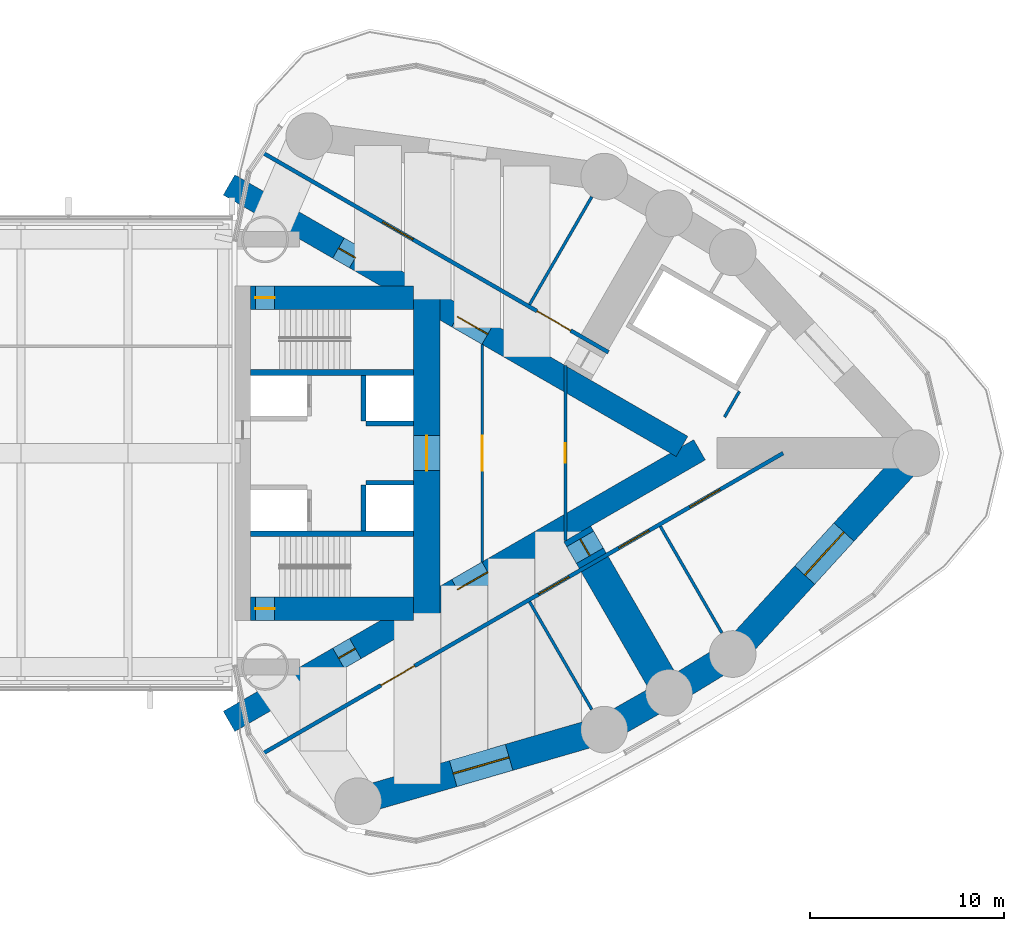
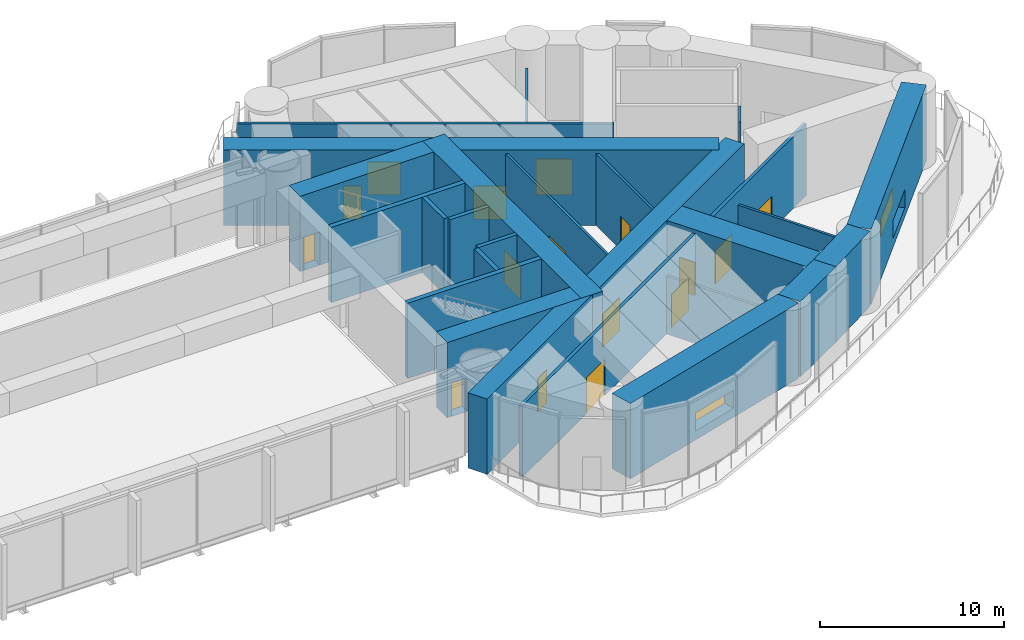
# One storey, part 18 of 22: 24 walls, 16 doors, 2 windows, 18 openings.
"""IFC4 building model written with IfcOpenShell, lengths in metres."""

from ifc_helpers import new_model, si_unit, direction, frame, frame_2d, origin, place, context, subcontext, project, spatial, rectangle, extrude, material, layer, layer_set, type_object, element, fill, save


model = new_model("IFC4")

# Units and contexts
model_context = context("Model", 3, precision=1e-05, world=origin(), true_north=direction((0.0, 1.0)))
body_context = subcontext(model_context, "Body", "Model", "MODEL_VIEW")
ifc_project = project(units=[si_unit("LENGTHUNIT", "METRE"), si_unit("AREAUNIT", "SQUARE_METRE"), si_unit("VOLUMEUNIT", "CUBIC_METRE"), si_unit("PLANEANGLEUNIT", "RADIAN"), si_unit("MASSUNIT", "GRAM", prefix="KILO")], contexts=[model_context])

# Site, building, storey
site_placement = place(None, origin())
site = spatial("IfcSite", under=ifc_project, at=site_placement, CompositionType="ELEMENT")
building_placement = place(site_placement, origin())
building = spatial("IfcBuilding", under=site, at=building_placement, Name="Lancet Gate Hotel", CompositionType="ELEMENT")
storey_placement = place(building_placement, frame((0.0, 0.0, 210.300048828125)))
storey = spatial("IfcBuildingStorey", under=building, at=storey_placement, Name="L56", CompositionType="ELEMENT", Elevation=210.300048828125)

# Wall, opening, window
ifc_material_1 = material(Name="Concrete C80/95", Category="concrete")
ifc_layer_1 = layer(ifc_material_1, 1.39990234375)
ifc_layer_set_1 = layer_set([ifc_layer_1], Name="Belt wall 1400")
wall_type_1 = type_object("IfcWallType", Name="Belt wall 1400", PredefinedType="SHEAR", material=ifc_layer_set_1)
wall_1_placement = place(storey_placement, frame((33.837158203125, -17.906005859375, 0.0), z_axis=(0.0, 0.0, 1.0), x_axis=(0.960258384252, 0.279112585659, 0.0)))
wall_1 = element("IfcWall", 1, at=wall_1_placement, inside=storey, type_object=wall_type_1, Name="T2 belt wall CS-OS1 L56", PredefinedType="SHEAR", context=body_context, shape_type="SweptSolid", body=[
    extrude(rectangle(XDim=13.18603515625, YDim=1.39990234375, at=frame_2d((6.593017578125, 0.0))), origin(), (0.0, 0.0, 1.0), 5.0),
])
opening_1_placement = place(wall_1_placement, frame((5.093017578125, 0.0, 0.60009765625)))
opening_1 = element("IfcOpeningElement", 2, at=opening_1_placement, cuts=wall_1, Name="Opening LV1", PredefinedType="OPENING", context=body_context, shape_type="SweptSolid", body=[
    extrude(rectangle(XDim=3.0, YDim=1.199951171875, at=frame_2d((1.5, 0.60009765625))), frame((0.0, 0.7099609375, 0.0), z_axis=(0.0, -1.0, 0.0), x_axis=(1.0, 0.0, 0.0)), (0.0, 0.0, 1.0), 1.419921875),
])
ifc_material_2 = material(Name="Aluminium weather louvre", Category="aluminium")
window_type = type_object("IfcWindowType", Name="Refuge louvre 3000x1200", PartitioningType="SINGLE_PANEL", PredefinedType="WINDOW", material=ifc_material_2)
window_1_placement = place(opening_1_placement, origin())
window_1 = element("IfcWindow", 3, at=window_1_placement, inside=storey, type_object=window_type, Name="T2 belt louvre CS-OS1 L56", OverallHeight=1.199951171875, OverallWidth=3.0, PartitioningType="SINGLE_PANEL", PredefinedType="WINDOW", context=body_context, shape_type="SweptSolid", body=[
    extrude(rectangle(XDim=3.0, YDim=1.199951171875, at=frame_2d((1.5, 0.60009765625))), frame((0.0, 0.030029296875, 0.0), z_axis=(0.0, -1.0, 0.0), x_axis=(1.0, 0.0, 0.0)), (0.0, 0.0, 1.0), 0.06005859375),
])
fill(opening_1, window_1)

# Walls
wall_2_placement = place(storey_placement, frame((46.499267578125, -14.2255859375, 0.0), z_axis=(0.0, 0.0, 1.0), x_axis=(0.869560321562, 0.493826738001, 0.0)))
element("IfcWall", 4, at=wall_2_placement, inside=storey, type_object=wall_type_1, Name="T2 belt wall OS1-OS2 L56", PredefinedType="SHEAR", context=body_context, shape_type="SweptSolid", body=[
    extrude(rectangle(XDim=3.8349609375, YDim=1.39990234375, at=frame_2d((1.91748046875, 0.0))), origin(), (0.0, 0.0, 1.0), 5.0),
])
wall_3_placement = place(storey_placement, frame((49.833984375, -12.331787109375, 0.0), z_axis=(0.0, 0.0, 1.0), x_axis=(0.853604257265, 0.520922040212, 0.0)))
element("IfcWall", 5, at=wall_3_placement, inside=storey, type_object=wall_type_1, Name="T2 belt wall OS2-OS3 L56", PredefinedType="SHEAR", context=body_context, shape_type="SweptSolid", body=[
    extrude(rectangle(XDim=3.835205078125, YDim=1.39990234375, at=frame_2d((1.91748046875, 0.0))), origin(), (0.0, 0.0, 1.0), 5.0),
])

# Wall, opening, window
wall_4_placement = place(storey_placement, frame((53.107666015625, -10.333984375, 0.0), z_axis=(0.0, 0.0, 1.0), x_axis=(0.674209372947, 0.738540263919, 0.0)))
wall_4 = element("IfcWall", 6, at=wall_4_placement, inside=storey, type_object=wall_type_1, Name="T2 belt wall OS3-CA L56", PredefinedType="SHEAR", context=body_context, shape_type="SweptSolid", body=[
    extrude(rectangle(XDim=13.992431640625, YDim=1.39990234375, at=frame_2d((6.99609375, 0.0))), origin(), (0.0, 0.0, 1.0), 5.0),
])
opening_2_placement = place(wall_4_placement, frame((5.496337890625, 0.0, 0.60009765625)))
opening_2 = element("IfcOpeningElement", 7, at=opening_2_placement, cuts=wall_4, Name="Opening LV1", PredefinedType="OPENING", context=body_context, shape_type="SweptSolid", body=[
    extrude(rectangle(XDim=3.0, YDim=1.199951171875, at=frame_2d((1.5, 0.60009765625))), frame((0.0, 0.7099609375, 0.0), z_axis=(0.0, -1.0, 0.0), x_axis=(1.0, 0.0, 0.0)), (0.0, 0.0, 1.0), 1.419921875),
])
window_2_placement = place(opening_2_placement, origin())
window_2 = element("IfcWindow", 8, at=window_2_placement, inside=storey, type_object=window_type, Name="T2 belt louvre OS3-CA L56", OverallHeight=1.199951171875, OverallWidth=3.0, PartitioningType="SINGLE_PANEL", PredefinedType="WINDOW", context=body_context, shape_type="SweptSolid", body=[
    extrude(rectangle(XDim=3.0, YDim=1.199951171875, at=frame_2d((1.5, 0.60009765625))), frame((0.0, 0.030029296875, 0.0), z_axis=(0.0, -1.0, 0.0), x_axis=(1.0, 0.0, 0.0)), (0.0, 0.0, 1.0), 0.06005859375),
])
fill(opening_2, window_2)

# Wall, openings, doors
ifc_material_3 = material(Name="Concrete C70/85", Category="concrete")
ifc_layer_2 = layer(ifc_material_3, 1.199951171875)
ifc_layer_set_2 = layer_set([ifc_layer_2], Name="Buttress wall 1200")
wall_type_2 = type_object("IfcWallType", Name="Buttress wall 1200", PredefinedType="SHEAR", material=ifc_layer_set_2)
wall_5_placement = place(storey_placement, frame((27.199951171875, -13.800048828125, 0.0), z_axis=(0.0, 0.0, 1.0), x_axis=(0.866027159892, 0.499996958321, 0.0)))
wall_5 = element("IfcWall", 9, at=wall_5_placement, inside=storey, type_object=wall_type_2, Name="T2 buttress wall S L56", PredefinedType="SHEAR", context=body_context, shape_type="SweptSolid", body=[
    extrude(rectangle(XDim=27.946533203125, YDim=1.199951171875, at=frame_2d((13.97314453125, 0.0))), origin(), (0.0, 0.0, 1.0), 5.0),
])
opening_3_placement = place(wall_5_placement, frame((6.5, 0.0, 0.0)))
opening_3 = element("IfcOpeningElement", 10, at=opening_3_placement, cuts=wall_5, Name="Opening T2-L56-LS", PredefinedType="OPENING", context=body_context, shape_type="SweptSolid", body=[
    extrude(rectangle(XDim=1.0, YDim=2.199951171875, at=frame_2d((0.5, 1.10009765625))), frame((0.0, 0.60986328125, 0.0), z_axis=(0.0, -1.0, 0.0), x_axis=(1.0, 0.0, 0.0)), (0.0, 0.0, 1.0), 1.219970703125),
])
opening_4_placement = place(wall_5_placement, frame((13.567626953125, 0.0, 0.0)))
opening_4 = element("IfcOpeningElement", 11, at=opening_4_placement, cuts=wall_5, Name="Opening T2-L56-LHS", PredefinedType="OPENING", context=body_context, shape_type="SweptSolid", body=[
    extrude(rectangle(XDim=1.800048828125, YDim=2.199951171875, at=frame_2d((0.89990234375, 1.10009765625))), frame((0.0, 0.60986328125, 0.0), z_axis=(0.0, -1.0, 0.0), x_axis=(1.0, 0.0, 0.0)), (0.0, 0.0, 1.0), 1.219970703125),
])
ifc_material_4 = material(Name="Timber door set", Category="wood")
door_type_1 = type_object("IfcDoorType", Name="Lobby double door 1800", OperationType="DOUBLE_DOOR_SINGLE_SWING", PredefinedType="DOOR", material=ifc_material_4)
door_1_placement = place(opening_4_placement, origin())
door_1 = element("IfcDoor", 12, at=door_1_placement, inside=storey, type_object=door_type_1, Name="T2-L56-LHS", OperationType="DOUBLE_DOOR_SINGLE_SWING", OverallHeight=2.199951171875, OverallWidth=1.800048828125, PredefinedType="DOOR", context=body_context, shape_type="SweptSolid", body=[
    extrude(rectangle(XDim=1.800048828125, YDim=2.199951171875, at=frame_2d((0.89990234375, 1.10009765625))), frame((0.0, 0.02490234375, 0.0), z_axis=(0.0, -1.0, 0.0), x_axis=(1.0, 0.0, 0.0)), (0.0, 0.0, 1.0), 0.050048828125),
])
fill(opening_4, door_1)
ifc_material_5 = material(Name="Timber door set", Category="wood")
door_type_2 = type_object("IfcDoorType", Name="Stair lobby door 1000", OperationType="SINGLE_SWING_LEFT", PredefinedType="DOOR", material=ifc_material_5)
door_2_placement = place(opening_3_placement, origin())
door_2 = element("IfcDoor", 13, at=door_2_placement, inside=storey, type_object=door_type_2, Name="T2-L56-LS", OperationType="SINGLE_SWING_LEFT", OverallHeight=2.199951171875, OverallWidth=1.0, PredefinedType="DOOR", context=body_context, shape_type="SweptSolid", body=[
    extrude(rectangle(XDim=1.0, YDim=2.199951171875, at=frame_2d((0.5, 1.10009765625))), frame((0.0, 0.02490234375, 0.0), z_axis=(0.0, -1.0, 0.0), x_axis=(1.0, 0.0, 0.0)), (0.0, 0.0, 1.0), 0.050048828125),
])
fill(opening_3, door_2)

wall_6_placement = place(storey_placement, frame((27.199951171875, 13.800048828125, 0.0), z_axis=(0.0, 0.0, 1.0), x_axis=(0.866024515034, -0.500001539357, 0.0)))
wall_6 = element("IfcWall", 14, at=wall_6_placement, inside=storey, type_object=wall_type_2, Name="T2 buttress wall N L56", PredefinedType="SHEAR", context=body_context, shape_type="SweptSolid", body=[
    extrude(rectangle(XDim=26.9072265625, YDim=1.199951171875, at=frame_2d((13.45361328125, 0.0))), origin(), (0.0, 0.0, 1.0), 5.0),
])
opening_5_placement = place(wall_6_placement, frame((6.5, 0.0, 0.0)))
opening_5 = element("IfcOpeningElement", 15, at=opening_5_placement, cuts=wall_6, Name="Opening T2-L56-LN", PredefinedType="OPENING", context=body_context, shape_type="SweptSolid", body=[
    extrude(rectangle(XDim=1.0, YDim=2.199951171875, at=frame_2d((0.5, 1.10009765625))), frame((0.0, 0.60986328125, 0.0), z_axis=(0.0, -1.0, 0.0), x_axis=(1.0, 0.0, 0.0)), (0.0, 0.0, 1.0), 1.219970703125),
])
opening_6_placement = place(wall_6_placement, frame((13.567626953125, 0.0, 0.0)))
opening_6 = element("IfcOpeningElement", 16, at=opening_6_placement, cuts=wall_6, Name="Opening T2-L56-LHN", PredefinedType="OPENING", context=body_context, shape_type="SweptSolid", body=[
    extrude(rectangle(XDim=1.800048828125, YDim=2.199951171875, at=frame_2d((0.89990234375, 1.10009765625))), frame((0.0, 0.60986328125, 0.0), z_axis=(0.0, -1.0, 0.0), x_axis=(1.0, 0.0, 0.0)), (0.0, 0.0, 1.0), 1.219970703125),
])
door_3_placement = place(opening_6_placement, origin())
door_3 = element("IfcDoor", 17, at=door_3_placement, inside=storey, type_object=door_type_1, Name="T2-L56-LHN", OperationType="DOUBLE_DOOR_SINGLE_SWING", OverallHeight=2.199951171875, OverallWidth=1.800048828125, PredefinedType="DOOR", context=body_context, shape_type="SweptSolid", body=[
    extrude(rectangle(XDim=1.800048828125, YDim=2.199951171875, at=frame_2d((0.89990234375, 1.10009765625))), frame((0.0, 0.02490234375, 0.0), z_axis=(0.0, -1.0, 0.0), x_axis=(1.0, 0.0, 0.0)), (0.0, 0.0, 1.0), 0.050048828125),
])
fill(opening_6, door_3)
door_4_placement = place(opening_5_placement, origin())
door_4 = element("IfcDoor", 18, at=door_4_placement, inside=storey, type_object=door_type_2, Name="T2-L56-LN", OperationType="SINGLE_SWING_LEFT", OverallHeight=2.199951171875, OverallWidth=1.0, PredefinedType="DOOR", context=body_context, shape_type="SweptSolid", body=[
    extrude(rectangle(XDim=1.0, YDim=2.199951171875, at=frame_2d((0.5, 1.10009765625))), frame((0.0, 0.02490234375, 0.0), z_axis=(0.0, -1.0, 0.0), x_axis=(1.0, 0.0, 0.0)), (0.0, 0.0, 1.0), 0.050048828125),
])
fill(opening_5, door_4)

# Wall, opening, door
ifc_material_6 = material(Name="Concrete C70/85", Category="concrete")
ifc_layer_3 = layer(ifc_material_6, 1.35009765625)
ifc_layer_set_3 = layer_set([ifc_layer_3], Name="Core back wall 1350, outrigger storeys")
wall_type_3 = type_object("IfcWallType", Name="Core back wall 1350, outrigger storeys", PredefinedType="SHEAR", material=ifc_layer_set_3)
wall_7_placement = place(storey_placement, frame((37.375, -8.60009765625, 0.0), z_axis=(0.0, 0.0, 1.0), x_axis=(0.0, 1.0, 0.0)))
wall_7 = element("IfcWall", 19, at=wall_7_placement, inside=storey, type_object=wall_type_3, Name="T2 core wall back L56", PredefinedType="SHEAR", context=body_context, shape_type="SweptSolid", body=[
    extrude(rectangle(XDim=17.2001953125, YDim=1.35009765625, at=frame_2d((8.60009765625, 0.0))), origin(), (0.0, 0.0, 1.0), 5.0),
])
opening_7_placement = place(wall_7_placement, frame((7.699951171875, 0.0, 0.0)))
opening_7 = element("IfcOpeningElement", 20, at=opening_7_placement, cuts=wall_7, Name="Opening T2-L56-LL", PredefinedType="OPENING", context=body_context, shape_type="SweptSolid", body=[
    extrude(rectangle(XDim=1.800048828125, YDim=2.199951171875, at=frame_2d((0.89990234375, 1.10009765625))), frame((0.0, 0.68505859375, 0.0), z_axis=(0.0, -1.0, 0.0), x_axis=(1.0, 0.0, 0.0)), (0.0, 0.0, 1.0), 1.3701171875),
])
door_5_placement = place(opening_7_placement, origin())
door_5 = element("IfcDoor", 21, at=door_5_placement, inside=storey, type_object=door_type_1, Name="T2-L56-LL", OperationType="DOUBLE_DOOR_SINGLE_SWING", OverallHeight=2.199951171875, OverallWidth=1.800048828125, PredefinedType="DOOR", context=body_context, shape_type="SweptSolid", body=[
    extrude(rectangle(XDim=1.800048828125, YDim=2.199951171875, at=frame_2d((0.89990234375, 1.10009765625))), frame((0.0, 0.02490234375, 0.0), z_axis=(0.0, -1.0, 0.0), x_axis=(1.0, 0.0, 0.0)), (0.0, 0.0, 1.0), 0.050048828125),
])
fill(opening_7, door_5)

ifc_material_7 = material(Name="Concrete C70/85", Category="concrete")
ifc_layer_4 = layer(ifc_material_7, 1.199951171875)
ifc_layer_set_4 = layer_set([ifc_layer_4], Name="Core wall 1200")
wall_type_4 = type_object("IfcWallType", Name="Core wall 1200", PredefinedType="SHEAR", material=ifc_layer_set_4)
wall_8_placement = place(storey_placement, frame((28.300048828125, -8.0, 0.0), z_axis=(0.0, 0.0, 1.0), x_axis=(1.0, 0.0, 0.0)))
wall_8 = element("IfcWall", 22, at=wall_8_placement, inside=storey, type_object=wall_type_4, Name="T2 core wall side-S L56", PredefinedType="SHEAR", context=body_context, shape_type="SweptSolid", body=[
    extrude(rectangle(XDim=8.39990234375, YDim=1.199951171875, at=frame_2d((4.199951171875, 0.0))), origin(), (0.0, 0.0, 1.0), 5.0),
])
opening_8_placement = place(wall_8_placement, frame((0.25, 0.0, 0.0)))
opening_8 = element("IfcOpeningElement", 23, at=opening_8_placement, cuts=wall_8, Name="Opening T2-L56-ST1", PredefinedType="OPENING", context=body_context, shape_type="SweptSolid", body=[
    extrude(rectangle(XDim=1.0, YDim=2.199951171875, at=frame_2d((0.5, 1.10009765625))), frame((0.0, 0.60986328125, 0.0), z_axis=(0.0, -1.0, 0.0), x_axis=(1.0, 0.0, 0.0)), (0.0, 0.0, 1.0), 1.219970703125),
])
ifc_material_8 = material(Name="Timber door set", Category="wood")
door_type_3 = type_object("IfcDoorType", Name="Stair door 1000", OperationType="SINGLE_SWING_RIGHT", PredefinedType="DOOR", material=ifc_material_8)
door_6_placement = place(opening_8_placement, origin())
door_6 = element("IfcDoor", 24, at=door_6_placement, inside=storey, type_object=door_type_3, Name="T2-L56-ST1", OperationType="SINGLE_SWING_RIGHT", OverallHeight=2.199951171875, OverallWidth=1.0, PredefinedType="DOOR", context=body_context, shape_type="SweptSolid", body=[
    extrude(rectangle(XDim=1.0, YDim=2.199951171875, at=frame_2d((0.5, 1.10009765625))), frame((0.0, 0.02490234375, 0.0), z_axis=(0.0, -1.0, 0.0), x_axis=(1.0, 0.0, 0.0)), (0.0, 0.0, 1.0), 0.050048828125),
])
fill(opening_8, door_6)

wall_9_placement = place(storey_placement, frame((28.300048828125, 8.0, 0.0), z_axis=(0.0, 0.0, 1.0), x_axis=(1.0, 0.0, 0.0)))
wall_9 = element("IfcWall", 25, at=wall_9_placement, inside=storey, type_object=wall_type_4, Name="T2 core wall side-N L56", PredefinedType="SHEAR", context=body_context, shape_type="SweptSolid", body=[
    extrude(rectangle(XDim=8.39990234375, YDim=1.199951171875, at=frame_2d((4.199951171875, 0.0))), origin(), (0.0, 0.0, 1.0), 5.0),
])
opening_9_placement = place(wall_9_placement, frame((0.25, 0.0, 0.0)))
opening_9 = element("IfcOpeningElement", 26, at=opening_9_placement, cuts=wall_9, Name="Opening T2-L56-ST2", PredefinedType="OPENING", context=body_context, shape_type="SweptSolid", body=[
    extrude(rectangle(XDim=1.0, YDim=2.199951171875, at=frame_2d((0.5, 1.10009765625))), frame((0.0, 0.60986328125, 0.0), z_axis=(0.0, -1.0, 0.0), x_axis=(1.0, 0.0, 0.0)), (0.0, 0.0, 1.0), 1.219970703125),
])
door_7_placement = place(opening_9_placement, origin())
door_7 = element("IfcDoor", 27, at=door_7_placement, inside=storey, type_object=door_type_3, Name="T2-L56-ST2", OperationType="SINGLE_SWING_RIGHT", OverallHeight=2.199951171875, OverallWidth=1.0, PredefinedType="DOOR", context=body_context, shape_type="SweptSolid", body=[
    extrude(rectangle(XDim=1.0, YDim=2.199951171875, at=frame_2d((0.5, 1.10009765625))), frame((0.0, 0.02490234375, 0.0), z_axis=(0.0, -1.0, 0.0), x_axis=(1.0, 0.0, 0.0)), (0.0, 0.0, 1.0), 0.050048828125),
])
fill(opening_9, door_7)

# Wall, openings, doors
ifc_material_9 = material(Name="Gypsum board partition")
ifc_layer_5 = layer(ifc_material_9, 0.199951171875)
ifc_layer_set_5 = layer_set([ifc_layer_5], Name="Corridor wall 200")
wall_type_5 = type_object("IfcWallType", Name="Corridor wall 200", PredefinedType="PARTITIONING", material=ifc_layer_set_5)
wall_10_placement = place(storey_placement, frame((28.958984375, -15.440185546875, 0.0), z_axis=(0.0, 0.0, 1.0), x_axis=(0.866025227435, 0.500000305447, 0.0)))
wall_10 = element("IfcWall", 28, at=wall_10_placement, inside=storey, type_object=wall_type_5, Name="T2 corridor wall 200 L56", PredefinedType="PARTITIONING", context=body_context, shape_type="SweptSolid", body=[
    extrude(rectangle(XDim=30.88037109375, YDim=0.199951171875, at=frame_2d((15.440185546875, 0.0))), origin(), (0.0, 0.0, 1.0), 4.75),
])
opening_10_placement = place(wall_10_placement, frame((6.99365234375, 0.0, 0.0)))
opening_10 = element("IfcOpeningElement", 29, at=opening_10_placement, cuts=wall_10, Name="Opening T2-L56-TB01", PredefinedType="OPENING", context=body_context, shape_type="SweptSolid", body=[
    extrude(rectangle(XDim=2.0, YDim=2.39990234375, at=frame_2d((1.0, 1.199951171875))), frame((0.0, 0.10986328125, 0.0), z_axis=(0.0, -1.0, 0.0), x_axis=(1.0, 0.0, 0.0)), (0.0, 0.0, 1.0), 0.219970703125),
])
opening_11_placement = place(wall_10_placement, frame((16.35986328125, 0.0, 0.0)))
opening_11 = element("IfcOpeningElement", 30, at=opening_11_placement, cuts=wall_10, Name="Opening T2-L56-TB02", PredefinedType="OPENING", context=body_context, shape_type="SweptSolid", body=[
    extrude(rectangle(XDim=1.800048828125, YDim=2.199951171875, at=frame_2d((0.89990234375, 1.10009765625))), frame((0.0, 0.10986328125, 0.0), z_axis=(0.0, -1.0, 0.0), x_axis=(1.0, 0.0, 0.0)), (0.0, 0.0, 1.0), 0.219970703125),
])
opening_12_placement = place(wall_10_placement, frame((21.117919921875, 0.0, 0.0)))
opening_12 = element("IfcOpeningElement", 31, at=opening_12_placement, cuts=wall_10, Name="Opening T2-L56-TB03", PredefinedType="OPENING", context=body_context, shape_type="SweptSolid", body=[
    extrude(rectangle(XDim=1.800048828125, YDim=2.199951171875, at=frame_2d((0.89990234375, 1.10009765625))), frame((0.0, 0.10986328125, 0.0), z_axis=(0.0, -1.0, 0.0), x_axis=(1.0, 0.0, 0.0)), (0.0, 0.0, 1.0), 0.219970703125),
])
opening_13_placement = place(wall_10_placement, frame((25.341064453125, 0.0, 0.0)))
opening_13 = element("IfcOpeningElement", 32, at=opening_13_placement, cuts=wall_10, Name="Opening T2-L56-TB04", PredefinedType="OPENING", context=body_context, shape_type="SweptSolid", body=[
    extrude(rectangle(XDim=1.800048828125, YDim=2.199951171875, at=frame_2d((0.89990234375, 1.10009765625))), frame((0.0, 0.10986328125, 0.0), z_axis=(0.0, -1.0, 0.0), x_axis=(1.0, 0.0, 0.0)), (0.0, 0.0, 1.0), 0.219970703125),
])
ifc_material_10 = material(Name="Timber door set", Category="wood")
door_type_4 = type_object("IfcDoorType", Name="Double door 1800", OperationType="DOUBLE_DOOR_SINGLE_SWING", PredefinedType="DOOR", material=ifc_material_10)
door_8_placement = place(opening_11_placement, origin())
door_8 = element("IfcDoor", 33, at=door_8_placement, inside=storey, type_object=door_type_4, Name="T2-L56-TB02", OperationType="DOUBLE_DOOR_SINGLE_SWING", OverallHeight=2.199951171875, OverallWidth=1.800048828125, PredefinedType="DOOR", context=body_context, shape_type="SweptSolid", body=[
    extrude(rectangle(XDim=1.800048828125, YDim=2.199951171875, at=frame_2d((0.89990234375, 1.10009765625))), frame((0.0, 0.02490234375, 0.0), z_axis=(0.0, -1.0, 0.0), x_axis=(1.0, 0.0, 0.0)), (0.0, 0.0, 1.0), 0.050048828125),
])
fill(opening_11, door_8)
door_9_placement = place(opening_12_placement, origin())
door_9 = element("IfcDoor", 34, at=door_9_placement, inside=storey, type_object=door_type_4, Name="T2-L56-TB03", OperationType="DOUBLE_DOOR_SINGLE_SWING", OverallHeight=2.199951171875, OverallWidth=1.800048828125, PredefinedType="DOOR", context=body_context, shape_type="SweptSolid", body=[
    extrude(rectangle(XDim=1.800048828125, YDim=2.199951171875, at=frame_2d((0.89990234375, 1.10009765625))), frame((0.0, 0.02490234375, 0.0), z_axis=(0.0, -1.0, 0.0), x_axis=(1.0, 0.0, 0.0)), (0.0, 0.0, 1.0), 0.050048828125),
])
fill(opening_12, door_9)
door_10_placement = place(opening_13_placement, origin())
door_10 = element("IfcDoor", 35, at=door_10_placement, inside=storey, type_object=door_type_4, Name="T2-L56-TB04", OperationType="DOUBLE_DOOR_SINGLE_SWING", OverallHeight=2.199951171875, OverallWidth=1.800048828125, PredefinedType="DOOR", context=body_context, shape_type="SweptSolid", body=[
    extrude(rectangle(XDim=1.800048828125, YDim=2.199951171875, at=frame_2d((0.89990234375, 1.10009765625))), frame((0.0, 0.02490234375, 0.0), z_axis=(0.0, -1.0, 0.0), x_axis=(1.0, 0.0, 0.0)), (0.0, 0.0, 1.0), 0.050048828125),
])
fill(opening_13, door_10)
ifc_material_11 = material(Name="Timber door set", Category="wood")
door_type_5 = type_object("IfcDoorType", Name="Plant room double door 2000", OperationType="DOUBLE_DOOR_SINGLE_SWING", PredefinedType="DOOR", material=ifc_material_11)
door_11_placement = place(opening_10_placement, origin())
door_11 = element("IfcDoor", 36, at=door_11_placement, inside=storey, type_object=door_type_5, Name="T2-L56-TB01", OperationType="DOUBLE_DOOR_SINGLE_SWING", OverallHeight=2.39990234375, OverallWidth=2.0, PredefinedType="DOOR", context=body_context, shape_type="SweptSolid", body=[
    extrude(rectangle(XDim=2.0, YDim=2.39990234375, at=frame_2d((1.0, 1.199951171875))), frame((0.0, 0.02490234375, 0.0), z_axis=(0.0, -1.0, 0.0), x_axis=(1.0, 0.0, 0.0)), (0.0, 0.0, 1.0), 0.050048828125),
])
fill(opening_10, door_11)

wall_11_placement = place(storey_placement, frame((28.958984375, 15.440185546875, 0.0), z_axis=(0.0, 0.0, 1.0), x_axis=(0.866028936079, -0.499993881836, 0.0)))
wall_11 = element("IfcWall", 37, at=wall_11_placement, inside=storey, type_object=wall_type_5, Name="T2 corridor wall 200 L56", PredefinedType="PARTITIONING", context=body_context, shape_type="SweptSolid", body=[
    extrude(rectangle(XDim=20.503173828125, YDim=0.199951171875, at=frame_2d((10.25146484375, 0.0))), origin(), (0.0, 0.0, 1.0), 4.75),
])
opening_14_placement = place(wall_11_placement, frame((16.260009765625, 0.0, 0.0)))
opening_14 = element("IfcOpeningElement", 38, at=opening_14_placement, cuts=wall_11, Name="Opening T2-L56-TB07", PredefinedType="OPENING", context=body_context, shape_type="SweptSolid", body=[
    extrude(rectangle(XDim=2.0, YDim=2.39990234375, at=frame_2d((1.0, 1.199951171875))), frame((0.0, 0.10986328125, 0.0), z_axis=(0.0, -1.0, 0.0), x_axis=(1.0, 0.0, 0.0)), (0.0, 0.0, 1.0), 0.219970703125),
])
opening_15_placement = place(wall_11_placement, frame((7.09375, 0.0, 0.0)))
opening_15 = element("IfcOpeningElement", 39, at=opening_15_placement, cuts=wall_11, Name="Opening T2-L56-TB08", PredefinedType="OPENING", context=body_context, shape_type="SweptSolid", body=[
    extrude(rectangle(XDim=1.800048828125, YDim=2.199951171875, at=frame_2d((0.89990234375, 1.10009765625))), frame((0.0, 0.10986328125, 0.0), z_axis=(0.0, -1.0, 0.0), x_axis=(1.0, 0.0, 0.0)), (0.0, 0.0, 1.0), 0.219970703125),
])
door_12_placement = place(opening_15_placement, origin())
door_12 = element("IfcDoor", 40, at=door_12_placement, inside=storey, type_object=door_type_4, Name="T2-L56-TB08", OperationType="DOUBLE_DOOR_SINGLE_SWING", OverallHeight=2.199951171875, OverallWidth=1.800048828125, PredefinedType="DOOR", context=body_context, shape_type="SweptSolid", body=[
    extrude(rectangle(XDim=1.800048828125, YDim=2.199951171875, at=frame_2d((0.89990234375, 1.10009765625))), frame((0.0, 0.02490234375, 0.0), z_axis=(0.0, -1.0, 0.0), x_axis=(1.0, 0.0, 0.0)), (0.0, 0.0, 1.0), 0.050048828125),
])
fill(opening_15, door_12)
door_13_placement = place(opening_14_placement, origin())
door_13 = element("IfcDoor", 41, at=door_13_placement, inside=storey, type_object=door_type_5, Name="T2-L56-TB07", OperationType="DOUBLE_DOOR_SINGLE_SWING", OverallHeight=2.39990234375, OverallWidth=2.0, PredefinedType="DOOR", context=body_context, shape_type="SweptSolid", body=[
    extrude(rectangle(XDim=2.0, YDim=2.39990234375, at=frame_2d((1.0, 1.199951171875))), frame((0.0, 0.02490234375, 0.0), z_axis=(0.0, -1.0, 0.0), x_axis=(1.0, 0.0, 0.0)), (0.0, 0.0, 1.0), 0.050048828125),
])
fill(opening_14, door_13)

# Walls
ifc_material_12 = material(Name="Concrete C50/60", Category="concrete")
ifc_layer_6 = layer(ifc_material_12, 0.25)
ifc_layer_set_6 = layer_set([ifc_layer_6], Name="Lift shaft wall 250")
wall_type_6 = type_object("IfcWallType", Name="Lift shaft wall 250", PredefinedType="SHEAR", material=ifc_layer_set_6)
wall_12_placement = place(storey_placement, frame((34.125, -4.0, 0.0), z_axis=(0.0, 0.0, 1.0), x_axis=(0.0, 1.0, 0.0)))
element("IfcWall", 42, at=wall_12_placement, inside=storey, type_object=wall_type_6, Name="T2 core wall row2-S L56", PredefinedType="SHEAR", context=body_context, shape_type="SweptSolid", body=[
    extrude(rectangle(XDim=2.35009765625, YDim=0.25, at=frame_2d((1.175048828125, 0.0))), origin(), (0.0, 0.0, 1.0), 5.0),
])
wall_13_placement = place(storey_placement, frame((34.25, -1.52490234375, 0.0), z_axis=(0.0, 0.0, 1.0), x_axis=(1.0, 0.0, 0.0)))
element("IfcWall", 43, at=wall_13_placement, inside=storey, type_object=wall_type_6, Name="T2 core wall pass2-S L56", PredefinedType="SHEAR", context=body_context, shape_type="SweptSolid", body=[
    extrude(rectangle(XDim=2.449951171875, YDim=0.25, at=frame_2d((1.22509765625, 0.0))), origin(), (0.0, 0.0, 1.0), 5.0),
])
wall_14_placement = place(storey_placement, frame((34.125, 1.64990234375, 0.0), z_axis=(0.0, 0.0, 1.0), x_axis=(0.0, 1.0, 0.0)))
element("IfcWall", 44, at=wall_14_placement, inside=storey, type_object=wall_type_6, Name="T2 core wall row2-N L56", PredefinedType="SHEAR", context=body_context, shape_type="SweptSolid", body=[
    extrude(rectangle(XDim=2.35009765625, YDim=0.25, at=frame_2d((1.175048828125, 0.0))), origin(), (0.0, 0.0, 1.0), 5.0),
])
wall_15_placement = place(storey_placement, frame((34.25, 1.52490234375, 0.0), z_axis=(0.0, 0.0, 1.0), x_axis=(1.0, 0.0, 0.0)))
element("IfcWall", 45, at=wall_15_placement, inside=storey, type_object=wall_type_6, Name="T2 core wall pass2-N L56", PredefinedType="SHEAR", context=body_context, shape_type="SweptSolid", body=[
    extrude(rectangle(XDim=2.449951171875, YDim=0.25, at=frame_2d((1.22509765625, 0.0))), origin(), (0.0, 0.0, 1.0), 5.0),
])

# Wall, opening, door
ifc_material_13 = material(Name="Concrete C80/95", Category="concrete")
ifc_layer_7 = layer(ifc_material_13, 1.60009765625)
ifc_layer_set_7 = layer_set([ifc_layer_7], Name="Outrigger wall 1600")
wall_type_7 = type_object("IfcWallType", Name="Outrigger wall 1600", PredefinedType="SHEAR", material=ifc_layer_set_7)
wall_16_placement = place(storey_placement, frame((45.111328125, -4.151611328125, 0.0), z_axis=(0.0, 0.0, 1.0), x_axis=(0.499986466662, -0.86603321712, 0.0)))
wall_16 = element("IfcWall", 46, at=wall_16_placement, inside=storey, type_object=wall_type_7, Name="T2 outrigger wall OS2 L56", PredefinedType="SHEAR", context=body_context, shape_type="SweptSolid", body=[
    extrude(rectangle(XDim=9.445556640625, YDim=1.60009765625, at=frame_2d((4.72265625, 0.0))), origin(), (0.0, 0.0, 1.0), 5.0),
])
opening_16_placement = place(wall_16_placement, frame((0.300048828125, 0.0, 0.0)))
opening_16 = element("IfcOpeningElement", 47, at=opening_16_placement, cuts=wall_16, Name="Opening T2-L56-LSO", PredefinedType="OPENING", context=body_context, shape_type="SweptSolid", body=[
    extrude(rectangle(XDim=1.0, YDim=2.199951171875, at=frame_2d((0.5, 1.10009765625))), frame((0.0, 0.81005859375, 0.0), z_axis=(0.0, -1.0, 0.0), x_axis=(1.0, 0.0, 0.0)), (0.0, 0.0, 1.0), 1.6201171875),
])
ifc_material_14 = material(Name="Timber door set", Category="wood")
door_type_6 = type_object("IfcDoorType", Name="Corridor door 1000", OperationType="SINGLE_SWING_LEFT", PredefinedType="DOOR", material=ifc_material_14)
door_14_placement = place(opening_16_placement, origin())
door_14 = element("IfcDoor", 48, at=door_14_placement, inside=storey, type_object=door_type_6, Name="T2-L56-LSO", OperationType="SINGLE_SWING_LEFT", OverallHeight=2.199951171875, OverallWidth=1.0, PredefinedType="DOOR", context=body_context, shape_type="SweptSolid", body=[
    extrude(rectangle(XDim=1.0, YDim=2.199951171875, at=frame_2d((0.5, 1.10009765625))), frame((0.0, 0.02490234375, 0.0), z_axis=(0.0, -1.0, 0.0), x_axis=(1.0, 0.0, 0.0)), (0.0, 0.0, 1.0), 0.050048828125),
])
fill(opening_16, door_14)

# Walls
ifc_material_15 = material(Name="Gypsum board partition")
ifc_layer_8 = layer(ifc_material_15, 0.14990234375)
ifc_layer_set_8 = layer_set([ifc_layer_8], Name="Party wall 150")
wall_type_8 = type_object("IfcWallType", Name="Party wall 150", PredefinedType="PARTITIONING", material=ifc_layer_set_8)
wall_17_placement = place(storey_placement, frame((42.65966796875, -7.6455078125, 0.0), z_axis=(0.0, 0.0, 1.0), x_axis=(0.499996592859, -0.866027370889, 0.0)))
element("IfcWall", 49, at=wall_17_placement, inside=storey, type_object=wall_type_8, Name="T2 party wall 150 L56", PredefinedType="PARTITIONING", context=body_context, shape_type="SweptSolid", body=[
    extrude(rectangle(XDim=6.3984375, YDim=0.14990234375, at=frame_2d((3.19921875, 0.0))), origin(), (0.0, 0.0, 1.0), 3.849853515625),
])
wall_18_placement = place(storey_placement, frame((49.38525390625, -3.7626953125, 0.0), z_axis=(0.0, 0.0, 1.0), x_axis=(0.499999447814, -0.866025722589, 0.0)))
element("IfcWall", 50, at=wall_18_placement, inside=storey, type_object=wall_type_8, Name="T2 party wall 150 L56", PredefinedType="PARTITIONING", context=body_context, shape_type="SweptSolid", body=[
    extrude(rectangle(XDim=6.33251953125, YDim=0.14990234375, at=frame_2d((3.166259765625, 0.0))), origin(), (0.0, 0.0, 1.0), 3.849853515625),
])
wall_19_placement = place(storey_placement, frame((42.65966796875, 7.6455078125, 0.0), z_axis=(0.0, 0.0, 1.0), x_axis=(0.499996592859, 0.866027370889, 0.0)))
element("IfcWall", 51, at=wall_19_placement, inside=storey, type_object=wall_type_8, Name="T2 party wall 150 L56", PredefinedType="PARTITIONING", context=body_context, shape_type="SweptSolid", body=[
    extrude(rectangle(XDim=6.3984375, YDim=0.14990234375, at=frame_2d((3.19921875, 0.0))), origin(), (0.0, 0.0, 1.0), 3.849853515625),
])
ifc_material_16 = material(Name="Gypsum board partition")
ifc_layer_9 = layer(ifc_material_16, 0.14990234375)
ifc_layer_set_9 = layer_set([ifc_layer_9], Name="Service room wall 150")
wall_type_9 = type_object("IfcWallType", Name="Service room wall 150", PredefinedType="PARTITIONING", material=ifc_layer_set_9)
wall_20_placement = place(storey_placement, frame((52.68896484375, 1.855224609375, 0.0), z_axis=(0.0, 0.0, 1.0), x_axis=(0.500035603698, 0.866004847004, 0.0)))
element("IfcWall", 52, at=wall_20_placement, inside=storey, type_object=wall_type_9, Name="T2 service room wall 150 L56", PredefinedType="PARTITIONING", context=body_context, shape_type="SweptSolid", body=[
    extrude(rectangle(XDim=1.52978515625, YDim=0.14990234375, at=frame_2d((0.764892578125, 0.0))), origin(), (0.0, 0.0, 1.0), 4.75),
])

# Wall, opening, door
wall_21_placement = place(storey_placement, frame((40.22509765625, -5.587158203125, 0.0), z_axis=(0.0, 0.0, 1.0), x_axis=(0.0, 1.0, 0.0)))
wall_21 = element("IfcWall", 53, at=wall_21_placement, inside=storey, type_object=wall_type_9, Name="T2 service room wall 150 L56", PredefinedType="PARTITIONING", context=body_context, shape_type="SweptSolid", body=[
    extrude(rectangle(XDim=11.17431640625, YDim=0.14990234375, at=frame_2d((5.587158203125, 0.0))), origin(), (0.0, 0.0, 1.0), 4.75),
])
opening_17_placement = place(wall_21_placement, frame((4.687255859375, 0.0, 0.0)))
opening_17 = element("IfcOpeningElement", 54, at=opening_17_placement, cuts=wall_21, Name="Opening T2-L56-LH", PredefinedType="OPENING", context=body_context, shape_type="SweptSolid", body=[
    extrude(rectangle(XDim=1.800048828125, YDim=2.199951171875, at=frame_2d((0.89990234375, 1.10009765625))), frame((0.0, 0.0849609375, 0.0), z_axis=(0.0, -1.0, 0.0), x_axis=(1.0, 0.0, 0.0)), (0.0, 0.0, 1.0), 0.169921875),
])
door_15_placement = place(opening_17_placement, origin())
door_15 = element("IfcDoor", 55, at=door_15_placement, inside=storey, type_object=door_type_1, Name="T2-L56-LH", OperationType="DOUBLE_DOOR_SINGLE_SWING", OverallHeight=2.199951171875, OverallWidth=1.800048828125, PredefinedType="DOOR", context=body_context, shape_type="SweptSolid", body=[
    extrude(rectangle(XDim=1.800048828125, YDim=2.199951171875, at=frame_2d((0.89990234375, 1.10009765625))), frame((0.0, 0.02490234375, 0.0), z_axis=(0.0, -1.0, 0.0), x_axis=(1.0, 0.0, 0.0)), (0.0, 0.0, 1.0), 0.050048828125),
])
fill(opening_17, door_15)

wall_22_placement = place(storey_placement, frame((44.5, -4.504638671875, 0.0), z_axis=(0.0, 0.0, 1.0), x_axis=(0.0, 1.0, 0.0)))
wall_22 = element("IfcWall", 56, at=wall_22_placement, inside=storey, type_object=wall_type_9, Name="T2 service room wall 150 L56", PredefinedType="PARTITIONING", context=body_context, shape_type="SweptSolid", body=[
    extrude(rectangle(XDim=9.00927734375, YDim=0.14990234375, at=frame_2d((4.504638671875, 0.0))), origin(), (0.0, 0.0, 1.0), 4.75),
])
opening_18_placement = place(wall_22_placement, frame((4.004638671875, 0.0, 0.0)))
opening_18 = element("IfcOpeningElement", 57, at=opening_18_placement, cuts=wall_22, Name="Opening T2-L56-SV", PredefinedType="OPENING", context=body_context, shape_type="SweptSolid", body=[
    extrude(rectangle(XDim=1.0, YDim=2.199951171875, at=frame_2d((0.5, 1.10009765625))), frame((0.0, 0.0849609375, 0.0), z_axis=(0.0, -1.0, 0.0), x_axis=(1.0, 0.0, 0.0)), (0.0, 0.0, 1.0), 0.169921875),
])
ifc_material_17 = material(Name="Timber door set", Category="wood")
door_type_7 = type_object("IfcDoorType", Name="Service door 1000", OperationType="SINGLE_SWING_LEFT", PredefinedType="DOOR", material=ifc_material_17)
door_16_placement = place(opening_18_placement, origin())
door_16 = element("IfcDoor", 58, at=door_16_placement, inside=storey, type_object=door_type_7, Name="T2-L56-SV", OperationType="SINGLE_SWING_LEFT", OverallHeight=2.199951171875, OverallWidth=1.0, PredefinedType="DOOR", context=body_context, shape_type="SweptSolid", body=[
    extrude(rectangle(XDim=1.0, YDim=2.199951171875, at=frame_2d((0.5, 1.10009765625))), frame((0.0, 0.02490234375, 0.0), z_axis=(0.0, -1.0, 0.0), x_axis=(1.0, 0.0, 0.0)), (0.0, 0.0, 1.0), 0.050048828125),
])
fill(opening_18, door_16)

# Walls
ifc_material_18 = material(Name="Concrete C50/60", Category="concrete")
ifc_layer_10 = layer(ifc_material_18, 0.300048828125)
ifc_layer_set_10 = layer_set([ifc_layer_10], Name="Stair enclosure wall 300")
wall_type_10 = type_object("IfcWallType", Name="Stair enclosure wall 300", PredefinedType="SHEAR", material=ifc_layer_set_10)
for number, where, z_axis, x_axis, name in (
    (59, (28.300048828125, -4.14990234375, 0.0), (0.0, 0.0, 1.0), (1.0, 0.0, 0.0), "T2 core wall stair-S L56"),
    (60, (28.300048828125, 4.14990234375, 0.0), (0.0, 0.0, 1.0), (1.0, 0.0, 0.0), "T2 core wall stair-N L56"),
):
    element("IfcWall", number, at=place(storey_placement, frame(where, z_axis=z_axis, x_axis=x_axis)), inside=storey, type_object=wall_type_10, Name=name, PredefinedType="SHEAR", context=body_context, shape_type="SweptSolid", body=[
        extrude(rectangle(XDim=8.39990234375, YDim=0.300048828125, at=frame_2d((4.199951171875, 0.0))), origin(), (0.0, 0.0, 1.0), 5.0),
    ])

save(model, "model.ifc")
